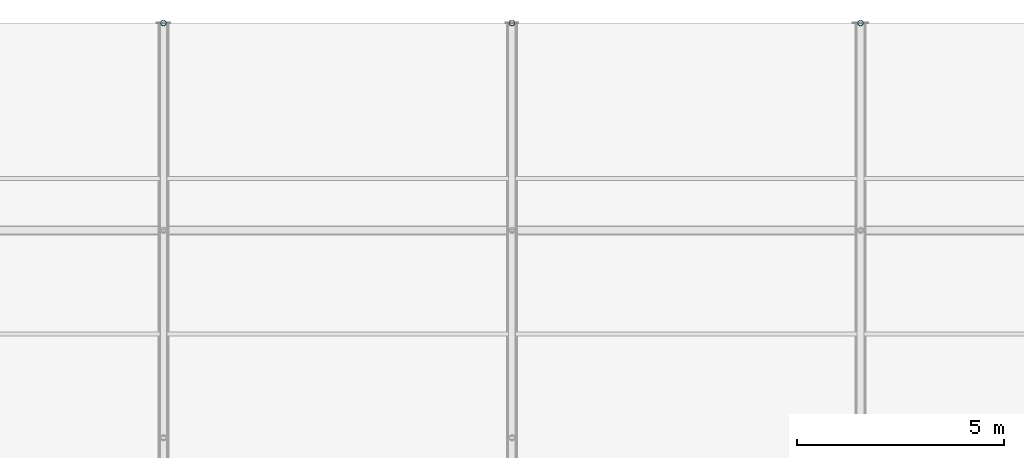
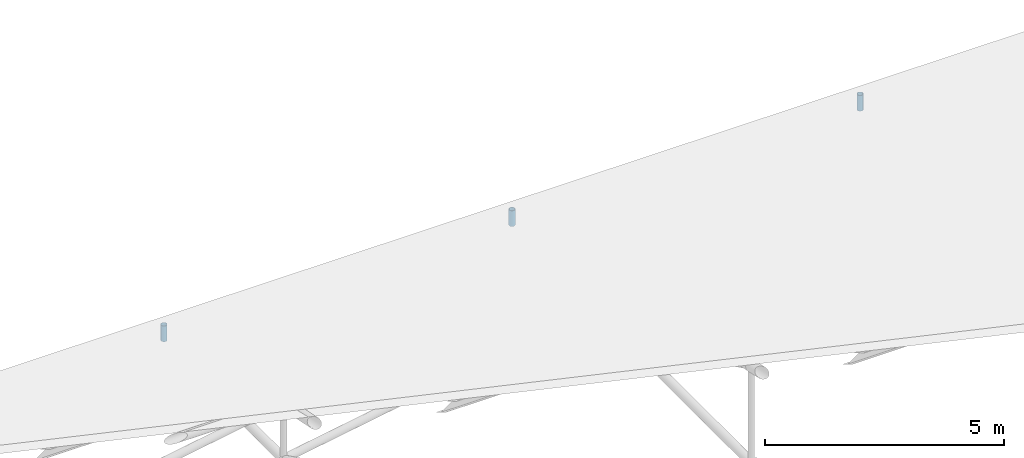
# One storey, part 151 of 194: 3 members.
"""IFC4 building model written with IfcOpenShell, lengths in metres."""

from ifc_helpers import new_model, si_unit, direction, frame, origin, origin_2d, place, context, subcontext, project, spatial, hollow_circle, extrude, material, material_profile, profile_set, type_object, element, save


model = new_model("IFC4")

# Units and contexts
model_context = context("Model", 3, precision=1e-05, world=origin(), true_north=direction((0.0, 1.0)))
body_context = subcontext(model_context, "Body", "Model", "MODEL_VIEW")
ifc_project = project(units=[si_unit("LENGTHUNIT", "METRE"), si_unit("AREAUNIT", "SQUARE_METRE"), si_unit("VOLUMEUNIT", "CUBIC_METRE"), si_unit("PLANEANGLEUNIT", "RADIAN"), si_unit("MASSUNIT", "GRAM", prefix="KILO")], contexts=[model_context])

# Site, building, storey
site_placement = place(None, origin())
site = spatial("IfcSite", under=ifc_project, at=site_placement, CompositionType="ELEMENT")
building_placement = place(site_placement, origin())
building = spatial("IfcBuilding", under=site, at=building_placement, Name="Kazenagashi Tramway Depot", CompositionType="ELEMENT")
storey_placement = place(building_placement, frame((0.0, 0.0, 23.7)))
storey = spatial("IfcBuildingStorey", under=building, at=storey_placement, Name="ROOF", CompositionType="ELEMENT", Elevation=23.7)

# Members
ifc_material = material(Name="Steel STK490", Category="steel")
ifc_material_profile = material_profile(ifc_material, hollow_circle(Radius=0.0699, WallThickness=0.0066, at=origin_2d()), Name="CHS-139.8x6.6")
ifc_profile_set = profile_set([ifc_material_profile], Name="Steel STK490")
member_type = type_object("IfcMemberType", Name="TS-02", PredefinedType="STRUT", material=ifc_profile_set)
for number, where, z_axis, x_axis, name in (
    (1, (120.4, 130.0, -14.1), (0.0, 0.0, 1.0), (1.0, 0.0, 0.0), "Tubular Space Frame TS-02 MEM-0604"),
    (2, (128.8, 130.0, -14.1), (0.0, 0.0, 1.0), (1.0, 0.0, 0.0), "Tubular Space Frame TS-02 MEM-0665"),
    (3, (137.2, 130.0, -14.1), (0.0, 0.0, 1.0), (1.0, 0.0, 0.0), "Tubular Space Frame TS-02 MEM-0726"),
):
    element("IfcMember", number, at=place(storey_placement, frame(where, z_axis=z_axis, x_axis=x_axis)), inside=storey, type_object=member_type, Name=name, PredefinedType="STRUT", context=body_context, shape_type="SweptSolid", body=[
        extrude(hollow_circle(Radius=0.0699, WallThickness=0.0066, at=origin_2d()), origin(), (0.0, 0.0, 1.0), 0.4),
    ])

save(model, "model.ifc")
